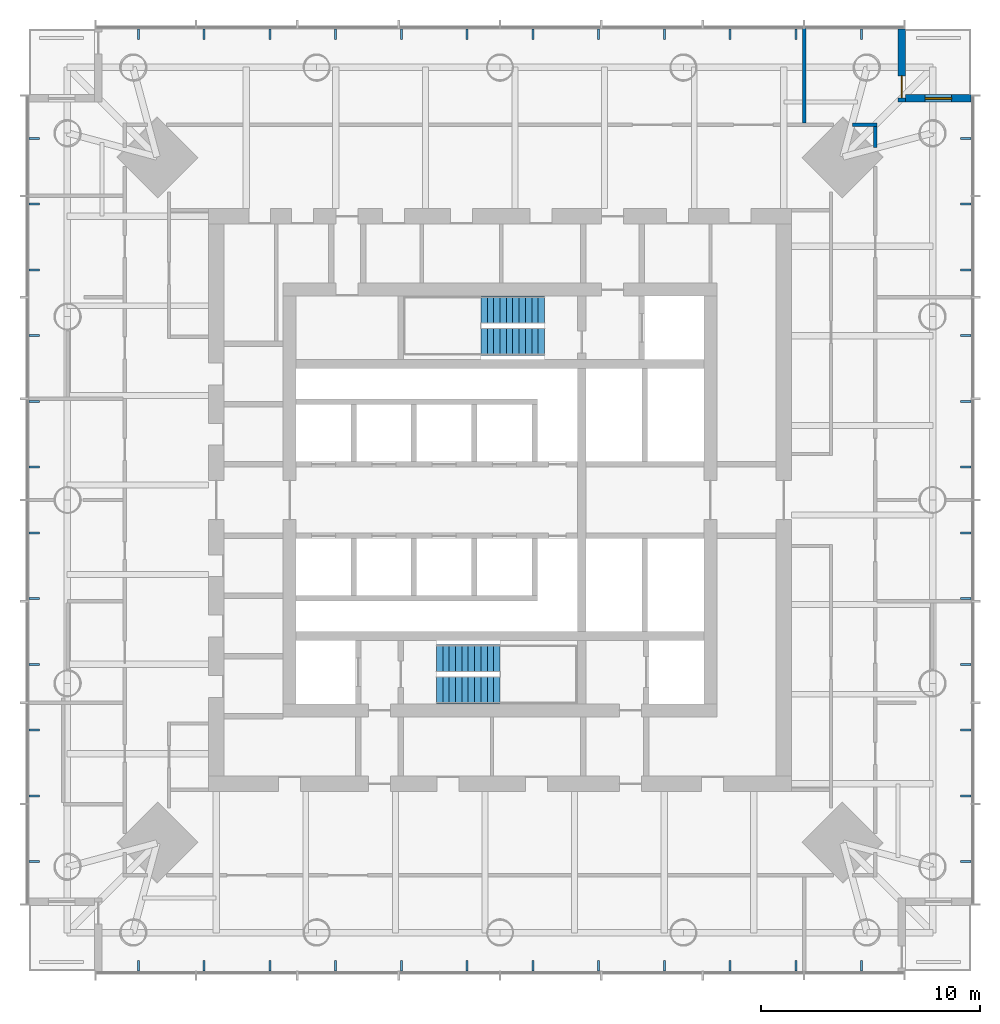
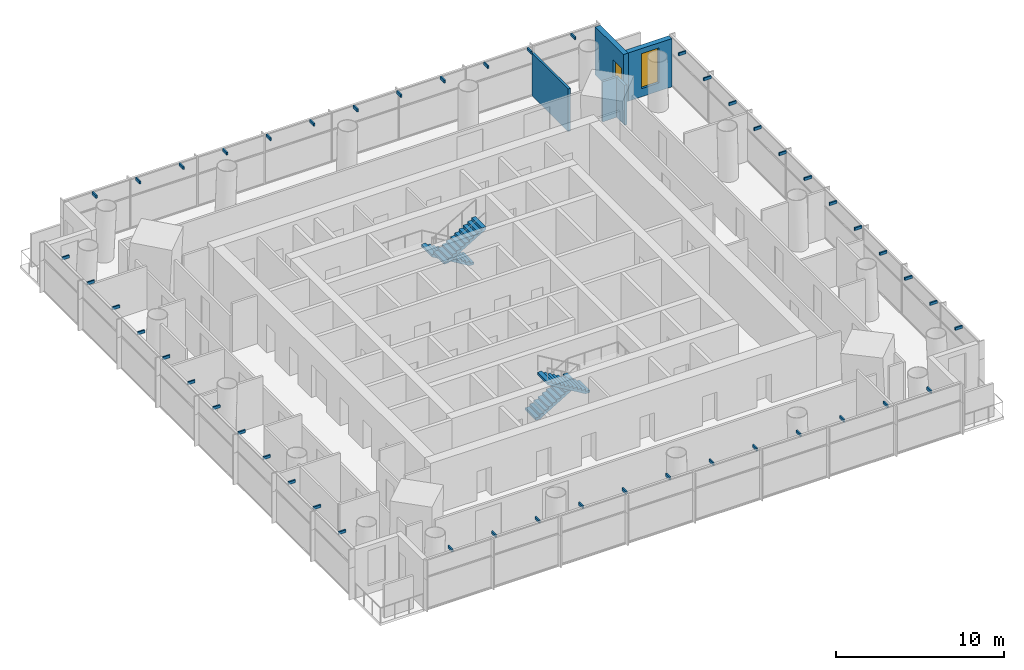
# One storey, part 10 of 11: 48 discrete accessories, 5 walls, 4 stair flights, 1 door, 1 window, 2 openings, 2 elements without a shape of their own.
"""IFC4 building model written with IfcOpenShell, lengths in metres."""

from ifc_helpers import new_model, si_unit, direction, frame, frame_2d, origin, origin_2d, place, context, subcontext, project, spatial, polyline, rectangle, outline, extrude, material, layer, layer_set, type_object, element, fill, aggregate, save


model = new_model("IFC4")

# Units and contexts
model_context = context("Model", 3, precision=1e-05, world=origin(), true_north=direction((0.0, 1.0)))
body_context = subcontext(model_context, "Body", "Model", "MODEL_VIEW")
ifc_project = project(units=[si_unit("LENGTHUNIT", "METRE"), si_unit("AREAUNIT", "SQUARE_METRE"), si_unit("VOLUMEUNIT", "CUBIC_METRE"), si_unit("PLANEANGLEUNIT", "RADIAN"), si_unit("MASSUNIT", "GRAM", prefix="KILO")], contexts=[model_context])

# Site, building, storey
site_placement = place(None, origin())
site = spatial("IfcSite", under=ifc_project, at=site_placement, CompositionType="ELEMENT")
building_placement = place(site_placement, origin())
building = spatial("IfcBuilding", under=site, at=building_placement, Name="Ostroluk Exchange", CompositionType="ELEMENT")
storey_placement = place(building_placement, frame((0.0, 0.0, 154.0)))
storey = spatial("IfcBuildingStorey", under=building, at=storey_placement, Name="L39", CompositionType="ELEMENT", Elevation=154.0)

# Wall, opening, door
ifc_material_1 = material(Name="Limestone", Category="masonry")
ifc_layer_1 = layer(ifc_material_1, 0.35009765625)
ifc_layer_set_1 = layer_set([ifc_layer_1], Name="Limestone facade wall 350")
wall_type_1 = type_object("IfcWallType", Name="Limestone facade wall 350", PredefinedType="SOLIDWALL", material=ifc_layer_set_1)
wall_1_placement = place(storey_placement, frame((63.324951171875, 67.5, 0.0), z_axis=(0.0, 0.0, 1.0), x_axis=(0.0, -1.0, 0.0)))
wall_1 = element("IfcWall", 1, at=wall_1_placement, inside=storey, type_object=wall_type_1, Name="Office tower NE corner wall L39 a", PredefinedType="SOLIDWALL", context=body_context, shape_type="SweptSolid", body=[
    extrude(rectangle(XDim=3.35009765625, YDim=0.35009765625, at=frame_2d((1.675048828125, 0.0))), origin(), (0.0, 0.0, 1.0), 3.52001953125),
])
opening_1_placement = place(wall_1_placement, frame((2.14990234375, 0.0, 0.0)))
opening_1 = element("IfcOpeningElement", 2, at=opening_1_placement, cuts=wall_1, Name="Opening D-B1", PredefinedType="OPENING", context=body_context, shape_type="SweptSolid", body=[
    extrude(rectangle(XDim=1.0, YDim=2.39990234375, at=frame_2d((0.5, 1.199951171875))), frame((0.0, 0.18505859375, 0.0), z_axis=(0.0, -1.0, 0.0), x_axis=(1.0, 0.0, 0.0)), (0.0, 0.0, 1.0), 0.3701171875),
])
ifc_material_2 = material(Name="Bronze framed glazed door", Category="aluminium")
door_type = type_object("IfcDoorType", Name="Balcony door 1000 x 2400", OperationType="SINGLE_SWING_LEFT", PredefinedType="DOOR", material=ifc_material_2)
door_placement = place(opening_1_placement, origin())
door = element("IfcDoor", 3, at=door_placement, inside=storey, type_object=door_type, Name="Office tower NE balcony door L39", OperationType="SINGLE_SWING_RIGHT", OverallHeight=2.39990234375, OverallWidth=1.0, PredefinedType="DOOR", context=body_context, shape_type="SweptSolid", body=[
    extrude(rectangle(XDim=1.0, YDim=2.39990234375, at=frame_2d((0.5, 1.199951171875))), frame((0.0, 0.02490234375, 0.0), z_axis=(0.0, -1.0, 0.0), x_axis=(1.0, 0.0, 0.0)), (0.0, 0.0, 1.0), 0.050048828125),
])
fill(opening_1, door)

# Wall, opening, window
wall_2_placement = place(storey_placement, frame((63.5, 64.324951171875, 0.0), z_axis=(0.0, 0.0, 1.0), x_axis=(1.0, 0.0, 0.0)))
wall_2 = element("IfcWall", 4, at=wall_2_placement, inside=storey, type_object=wall_type_1, Name="Office tower NE corner wall L39 b", PredefinedType="SOLIDWALL", context=body_context, shape_type="SweptSolid", body=[
    extrude(rectangle(XDim=3.0, YDim=0.35009765625, at=frame_2d((1.5, 0.0))), origin(), (0.0, 0.0, 1.0), 3.52001953125),
])
opening_2_placement = place(wall_2_placement, frame((0.89990234375, 0.0, 0.60009765625)))
opening_2 = element("IfcOpeningElement", 5, at=opening_2_placement, cuts=wall_2, Name="Opening WN-L1", PredefinedType="OPENING", context=body_context, shape_type="SweptSolid", body=[
    extrude(rectangle(XDim=1.199951171875, YDim=2.550048828125, at=frame_2d((0.60009765625, 1.27490234375))), frame((0.0, 0.18505859375, 0.0), z_axis=(0.0, -1.0, 0.0), x_axis=(1.0, 0.0, 0.0)), (0.0, 0.0, 1.0), 0.3701171875),
])
ifc_material_3 = material(Name="Laminated clear glass", Category="glass")
window_type = type_object("IfcWindowType", Name="Lancet window 1200 x 2550", PartitioningType="SINGLE_PANEL", PredefinedType="WINDOW", material=ifc_material_3)
window_placement = place(opening_2_placement, origin())
window = element("IfcWindow", 6, at=window_placement, inside=storey, type_object=window_type, Name="Office tower NE lancet window L39", OverallHeight=2.550048828125, OverallWidth=1.199951171875, PartitioningType="SINGLE_PANEL", PredefinedType="WINDOW", context=body_context, shape_type="SweptSolid", body=[
    extrude(rectangle(XDim=1.199951171875, YDim=2.550048828125, at=frame_2d((0.60009765625, 1.27490234375))), frame((0.0, 0.030029296875, 0.0), z_axis=(0.0, -1.0, 0.0), x_axis=(1.0, 0.0, 0.0)), (0.0, 0.0, 1.0), 0.06005859375),
])
fill(opening_2, window)

# Walls
ifc_material_4 = material(Name="Gypsum plasterboard partition", Category="gypsum")
ifc_layer_2 = layer(ifc_material_4, 0.14990234375)
ifc_layer_set_2 = layer_set([ifc_layer_2], Name="Plasterboard partition 150")
wall_type_2 = type_object("IfcWallType", Name="Plasterboard partition 150", PredefinedType="PARTITIONING", material=ifc_layer_set_2)
wall_3_placement = place(storey_placement, frame((62.125, 62.08837890625, 0.0), z_axis=(0.0, 0.0, 1.0), x_axis=(0.0, 1.0, 0.0)))
element("IfcWall", 7, at=wall_3_placement, inside=storey, type_object=wall_type_2, Name="Partition", PredefinedType="PARTITIONING", context=body_context, shape_type="SweptSolid", body=[
    extrude(rectangle(XDim=0.961669921875, YDim=0.14990234375, at=frame_2d((0.48095703125, 0.0))), origin(), (0.0, 0.0, 1.0), 2.919921875),
])
wall_4_placement = place(storey_placement, frame((62.199951171875, 63.125, 0.0), z_axis=(0.0, 0.0, 1.0), x_axis=(-1.0, 0.0, 0.0)))
element("IfcWall", 8, at=wall_4_placement, inside=storey, type_object=wall_type_2, Name="Partition", PredefinedType="PARTITIONING", context=body_context, shape_type="SweptSolid", body=[
    extrude(rectangle(XDim=1.111572265625, YDim=0.14990234375, at=frame_2d((0.5556640625, 0.0))), origin(), (0.0, 0.0, 1.0), 2.919921875),
])
wall_5_placement = place(storey_placement, frame((58.875, 63.199951171875, 0.0), z_axis=(0.0, 0.0, 1.0), x_axis=(0.0, 1.0, 0.0)))
element("IfcWall", 9, at=wall_5_placement, inside=storey, type_object=wall_type_2, Name="Partition", PredefinedType="PARTITIONING", context=body_context, shape_type="SweptSolid", body=[
    extrude(rectangle(XDim=4.340087890625, YDim=0.14990234375, at=frame_2d((2.169921875, 0.0))), origin(), (0.0, 0.0, 1.0), 3.1201171875),
])

# Stair, stair flights
ifc_material_5 = material(Name="Concrete C30/37", Category="concrete")
stair_type = type_object("IfcStairType", Name="Exit stair half turn 3800", PredefinedType="HALF_TURN_STAIR", material=ifc_material_5)
stair_1_placement = place(storey_placement, origin())
stair_1 = element("IfcStair", 10, at=stair_1_placement, inside=storey, type_object=stair_type, Name="Stair T1-S1 L39", PredefinedType="HALF_TURN_STAIR")
ifc_material_6 = material(Name="Concrete C30/37", Category="concrete")
stair_flight_type = type_object("IfcStairFlightType", Name="Stair flight 11 risers 172.7 x 290", PredefinedType="STRAIGHT", material=ifc_material_6)
stair_flight_1_placement = place(storey_placement, frame((42.10009765625, 38.77490234375, 0.0), z_axis=(0.0, 0.0, 1.0), x_axis=(1.0, 0.0, 0.0)))
stair_flight_1 = element("IfcStairFlight", 11, at=stair_flight_1_placement, type_object=stair_flight_type, Name="T1-S1 flight 1", NumberOfRisers=11, NumberOfTreads=10, PredefinedType="STRAIGHT", RiserHeight=0.172727273, TreadLength=0.29, context=body_context, shape_type="SweptSolid", body=[
    extrude(outline(polyline([(0.0, 0.0), (0.0, 0.172607421875), (0.2900390625, 0.172607421875), (0.2900390625, 0.345458984375), (0.580078125, 0.345458984375), (0.580078125, 0.51806640625), (0.8701171875, 0.51806640625), (0.8701171875, 0.69091796875), (1.159912109375, 0.69091796875), (1.159912109375, 0.863525390625), (1.449951171875, 0.863525390625), (1.449951171875, 1.036376953125), (1.739990234375, 1.036376953125), (1.739990234375, 1.208984375), (2.030029296875, 1.208984375), (2.030029296875, 1.3818359375), (2.320068359375, 1.3818359375), (2.320068359375, 1.554443359375), (2.610107421875, 1.554443359375), (2.610107421875, 1.727294921875), (2.89990234375, 1.727294921875), (2.89990234375, 1.89990234375), (2.89990234375, 1.552734375), (0.29296875, 0.0), (0.0, 0.0)])), frame((0.0, 0.625, 0.0), z_axis=(0.0, -1.0, 0.0), x_axis=(1.0, 0.0, 0.0)), (0.0, 0.0, 1.0), 1.25),
])
stair_flight_2_placement = place(storey_placement, frame((45.0, 37.324951171875, 1.89990234375), z_axis=(0.0, 0.0, 1.0), x_axis=(-1.0, 0.0, 0.0)))
stair_flight_2 = element("IfcStairFlight", 12, at=stair_flight_2_placement, type_object=stair_flight_type, Name="T1-S1 flight 2", NumberOfRisers=11, NumberOfTreads=10, PredefinedType="STRAIGHT", RiserHeight=0.172727273, TreadLength=0.29, context=body_context, shape_type="SweptSolid", body=[
    extrude(outline(polyline([(0.0, 0.0), (0.0, 0.172607421875), (0.2900390625, 0.172607421875), (0.2900390625, 0.345458984375), (0.580078125, 0.345458984375), (0.580078125, 0.51806640625), (0.8701171875, 0.51806640625), (0.8701171875, 0.69091796875), (1.159912109375, 0.69091796875), (1.159912109375, 0.863525390625), (1.449951171875, 0.863525390625), (1.449951171875, 1.036376953125), (1.739990234375, 1.036376953125), (1.739990234375, 1.208984375), (2.030029296875, 1.208984375), (2.030029296875, 1.3818359375), (2.320068359375, 1.3818359375), (2.320068359375, 1.554443359375), (2.610107421875, 1.554443359375), (2.610107421875, 1.727294921875), (2.89990234375, 1.727294921875), (2.89990234375, 1.89990234375), (2.89990234375, 1.552734375), (0.29296875, 0.0), (0.0, 0.0)])), frame((0.0, 0.625, 0.0), z_axis=(0.0, -1.0, 0.0), x_axis=(1.0, 0.0, 0.0)), (0.0, 0.0, 1.0), 1.25),
])
aggregate(stair_1, [stair_flight_1, stair_flight_2])

stair_2_placement = place(storey_placement, origin())
stair_2 = element("IfcStair", 13, at=stair_2_placement, inside=storey, type_object=stair_type, Name="Stair T1-S2 L39", PredefinedType="HALF_TURN_STAIR")
stair_flight_3_placement = place(storey_placement, frame((47.030029296875, 54.675048828125, 0.0), z_axis=(0.0, 0.0, 1.0), x_axis=(-1.0, 0.0, 0.0)))
stair_flight_3 = element("IfcStairFlight", 14, at=stair_flight_3_placement, type_object=stair_flight_type, Name="T1-S2 flight 1", NumberOfRisers=11, NumberOfTreads=10, PredefinedType="STRAIGHT", RiserHeight=0.172727273, TreadLength=0.29, context=body_context, shape_type="SweptSolid", body=[
    extrude(outline(polyline([(0.0, 0.0), (0.0, 0.172607421875), (0.2900390625, 0.172607421875), (0.2900390625, 0.345458984375), (0.580078125, 0.345458984375), (0.580078125, 0.51806640625), (0.8701171875, 0.51806640625), (0.8701171875, 0.69091796875), (1.159912109375, 0.69091796875), (1.159912109375, 0.863525390625), (1.449951171875, 0.863525390625), (1.449951171875, 1.036376953125), (1.739990234375, 1.036376953125), (1.739990234375, 1.208984375), (2.030029296875, 1.208984375), (2.030029296875, 1.3818359375), (2.320068359375, 1.3818359375), (2.320068359375, 1.554443359375), (2.610107421875, 1.554443359375), (2.610107421875, 1.727294921875), (2.89990234375, 1.727294921875), (2.89990234375, 1.89990234375), (2.89990234375, 1.552734375), (0.29296875, 0.0), (0.0, 0.0)])), frame((0.0, 0.625, 0.0), z_axis=(0.0, -1.0, 0.0), x_axis=(1.0, 0.0, 0.0)), (0.0, 0.0, 1.0), 1.25),
])
stair_flight_4_placement = place(storey_placement, frame((44.1298828125, 53.22509765625, 1.89990234375), z_axis=(0.0, 0.0, 1.0), x_axis=(1.0, 0.0, 0.0)))
stair_flight_4 = element("IfcStairFlight", 15, at=stair_flight_4_placement, type_object=stair_flight_type, Name="T1-S2 flight 2", NumberOfRisers=11, NumberOfTreads=10, PredefinedType="STRAIGHT", RiserHeight=0.172727273, TreadLength=0.29, context=body_context, shape_type="SweptSolid", body=[
    extrude(outline(polyline([(0.0, 0.0), (0.0, 0.172607421875), (0.2900390625, 0.172607421875), (0.2900390625, 0.345458984375), (0.580078125, 0.345458984375), (0.580078125, 0.51806640625), (0.8701171875, 0.51806640625), (0.8701171875, 0.69091796875), (1.159912109375, 0.69091796875), (1.159912109375, 0.863525390625), (1.449951171875, 0.863525390625), (1.449951171875, 1.036376953125), (1.739990234375, 1.036376953125), (1.739990234375, 1.208984375), (2.030029296875, 1.208984375), (2.030029296875, 1.3818359375), (2.320068359375, 1.3818359375), (2.320068359375, 1.554443359375), (2.610107421875, 1.554443359375), (2.610107421875, 1.727294921875), (2.89990234375, 1.727294921875), (2.89990234375, 1.89990234375), (2.89990234375, 1.552734375), (0.29296875, 0.0), (0.0, 0.0)])), frame((0.0, 0.625, 0.0), z_axis=(0.0, -1.0, 0.0), x_axis=(1.0, 0.0, 0.0)), (0.0, 0.0, 1.0), 1.25),
])
aggregate(stair_2, [stair_flight_3, stair_flight_4])

# Discrete accessories
ifc_material_7 = material(Name="Steel S355", Category="steel")
discrete_accessory_type = type_object("IfcDiscreteAccessoryType", Name="Maintenance roof bracket", PredefinedType="BRACKET", material=ifc_material_7)
for number, where, z_axis, x_axis, name in (
    (16, (28.5, 24.75, 3.4501953125), (0.0, 0.0, 1.0), (1.0, 0.0, 0.0), "Maintenance roof bracket L40 south 1"),
    (17, (31.5, 24.75, 3.4501953125), (0.0, 0.0, 1.0), (1.0, 0.0, 0.0), "Maintenance roof bracket L40 south 2"),
    (18, (34.5, 24.75, 3.4501953125), (0.0, 0.0, 1.0), (1.0, 0.0, 0.0), "Maintenance roof bracket L40 south 3"),
    (19, (37.5, 24.75, 3.4501953125), (0.0, 0.0, 1.0), (1.0, 0.0, 0.0), "Maintenance roof bracket L40 south 4"),
    (20, (40.5, 24.75, 3.4501953125), (0.0, 0.0, 1.0), (1.0, 0.0, 0.0), "Maintenance roof bracket L40 south 5"),
    (21, (43.5, 24.75, 3.4501953125), (0.0, 0.0, 1.0), (1.0, 0.0, 0.0), "Maintenance roof bracket L40 south 6"),
    (22, (46.5, 24.75, 3.4501953125), (0.0, 0.0, 1.0), (1.0, 0.0, 0.0), "Maintenance roof bracket L40 south 7"),
    (23, (49.5, 24.75, 3.4501953125), (0.0, 0.0, 1.0), (1.0, 0.0, 0.0), "Maintenance roof bracket L40 south 8"),
    (24, (52.5, 24.75, 3.4501953125), (0.0, 0.0, 1.0), (1.0, 0.0, 0.0), "Maintenance roof bracket L40 south 9"),
    (25, (55.5, 24.75, 3.4501953125), (0.0, 0.0, 1.0), (1.0, 0.0, 0.0), "Maintenance roof bracket L40 south 10"),
    (26, (58.5, 24.75, 3.4501953125), (0.0, 0.0, 1.0), (1.0, 0.0, 0.0), "Maintenance roof bracket L40 south 11"),
    (27, (61.5, 24.75, 3.4501953125), (0.0, 0.0, 1.0), (1.0, 0.0, 0.0), "Maintenance roof bracket L40 south 12"),
):
    element("IfcDiscreteAccessory", number, at=place(storey_placement, frame(where, z_axis=z_axis, x_axis=x_axis)), inside=storey, type_object=discrete_accessory_type, Name=name, PredefinedType="BRACKET", context=body_context, shape_type="SweptSolid", body=[
        extrude(rectangle(XDim=0.10009765625, YDim=0.5, at=origin_2d()), origin(), (0.0, 0.0, 1.0), 0.199951171875),
    ])
for number, where, z_axis, x_axis, name in (
    (28, (66.25, 29.5, 3.4501953125), (0.0, 0.0, 1.0), (1.0, 0.0, 0.0), "Maintenance roof bracket L40 east 1"),
    (29, (66.25, 32.5, 3.4501953125), (0.0, 0.0, 1.0), (1.0, 0.0, 0.0), "Maintenance roof bracket L40 east 2"),
    (30, (66.25, 35.5, 3.4501953125), (0.0, 0.0, 1.0), (1.0, 0.0, 0.0), "Maintenance roof bracket L40 east 3"),
    (31, (66.25, 38.5, 3.4501953125), (0.0, 0.0, 1.0), (1.0, 0.0, 0.0), "Maintenance roof bracket L40 east 4"),
    (32, (66.25, 41.5, 3.4501953125), (0.0, 0.0, 1.0), (1.0, 0.0, 0.0), "Maintenance roof bracket L40 east 5"),
    (33, (66.25, 44.5, 3.4501953125), (0.0, 0.0, 1.0), (1.0, 0.0, 0.0), "Maintenance roof bracket L40 east 6"),
    (34, (66.25, 47.5, 3.4501953125), (0.0, 0.0, 1.0), (1.0, 0.0, 0.0), "Maintenance roof bracket L40 east 7"),
    (35, (66.25, 50.5, 3.4501953125), (0.0, 0.0, 1.0), (1.0, 0.0, 0.0), "Maintenance roof bracket L40 east 8"),
    (36, (66.25, 53.5, 3.4501953125), (0.0, 0.0, 1.0), (1.0, 0.0, 0.0), "Maintenance roof bracket L40 east 9"),
    (37, (66.25, 56.5, 3.4501953125), (0.0, 0.0, 1.0), (1.0, 0.0, 0.0), "Maintenance roof bracket L40 east 10"),
    (38, (66.25, 59.5, 3.4501953125), (0.0, 0.0, 1.0), (1.0, 0.0, 0.0), "Maintenance roof bracket L40 east 11"),
    (39, (66.25, 62.5, 3.4501953125), (0.0, 0.0, 1.0), (1.0, 0.0, 0.0), "Maintenance roof bracket L40 east 12"),
):
    element("IfcDiscreteAccessory", number, at=place(storey_placement, frame(where, z_axis=z_axis, x_axis=x_axis)), inside=storey, type_object=discrete_accessory_type, Name=name, PredefinedType="BRACKET", context=body_context, shape_type="SweptSolid", body=[
        extrude(rectangle(XDim=0.5, YDim=0.10009765625, at=origin_2d()), origin(), (0.0, 0.0, 1.0), 0.199951171875),
    ])
for number, where, z_axis, x_axis, name in (
    (40, (28.5, 67.25, 3.4501953125), (0.0, 0.0, 1.0), (1.0, 0.0, 0.0), "Maintenance roof bracket L40 north 1"),
    (41, (31.5, 67.25, 3.4501953125), (0.0, 0.0, 1.0), (1.0, 0.0, 0.0), "Maintenance roof bracket L40 north 2"),
    (42, (34.5, 67.25, 3.4501953125), (0.0, 0.0, 1.0), (1.0, 0.0, 0.0), "Maintenance roof bracket L40 north 3"),
    (43, (37.5, 67.25, 3.4501953125), (0.0, 0.0, 1.0), (1.0, 0.0, 0.0), "Maintenance roof bracket L40 north 4"),
    (44, (40.5, 67.25, 3.4501953125), (0.0, 0.0, 1.0), (1.0, 0.0, 0.0), "Maintenance roof bracket L40 north 5"),
    (45, (43.5, 67.25, 3.4501953125), (0.0, 0.0, 1.0), (1.0, 0.0, 0.0), "Maintenance roof bracket L40 north 6"),
    (46, (46.5, 67.25, 3.4501953125), (0.0, 0.0, 1.0), (1.0, 0.0, 0.0), "Maintenance roof bracket L40 north 7"),
    (47, (49.5, 67.25, 3.4501953125), (0.0, 0.0, 1.0), (1.0, 0.0, 0.0), "Maintenance roof bracket L40 north 8"),
    (48, (52.5, 67.25, 3.4501953125), (0.0, 0.0, 1.0), (1.0, 0.0, 0.0), "Maintenance roof bracket L40 north 9"),
    (49, (55.5, 67.25, 3.4501953125), (0.0, 0.0, 1.0), (1.0, 0.0, 0.0), "Maintenance roof bracket L40 north 10"),
    (50, (58.5, 67.25, 3.4501953125), (0.0, 0.0, 1.0), (1.0, 0.0, 0.0), "Maintenance roof bracket L40 north 11"),
    (51, (61.5, 67.25, 3.4501953125), (0.0, 0.0, 1.0), (1.0, 0.0, 0.0), "Maintenance roof bracket L40 north 12"),
):
    element("IfcDiscreteAccessory", number, at=place(storey_placement, frame(where, z_axis=z_axis, x_axis=x_axis)), inside=storey, type_object=discrete_accessory_type, Name=name, PredefinedType="BRACKET", context=body_context, shape_type="SweptSolid", body=[
        extrude(rectangle(XDim=0.10009765625, YDim=0.5, at=origin_2d()), origin(), (0.0, 0.0, 1.0), 0.199951171875),
    ])
for number, where, z_axis, x_axis, name in (
    (52, (23.75, 29.5, 3.4501953125), (0.0, 0.0, 1.0), (1.0, 0.0, 0.0), "Maintenance roof bracket L40 west 1"),
    (53, (23.75, 32.5, 3.4501953125), (0.0, 0.0, 1.0), (1.0, 0.0, 0.0), "Maintenance roof bracket L40 west 2"),
    (54, (23.75, 35.5, 3.4501953125), (0.0, 0.0, 1.0), (1.0, 0.0, 0.0), "Maintenance roof bracket L40 west 3"),
    (55, (23.75, 38.5, 3.4501953125), (0.0, 0.0, 1.0), (1.0, 0.0, 0.0), "Maintenance roof bracket L40 west 4"),
    (56, (23.75, 41.5, 3.4501953125), (0.0, 0.0, 1.0), (1.0, 0.0, 0.0), "Maintenance roof bracket L40 west 5"),
    (57, (23.75, 44.5, 3.4501953125), (0.0, 0.0, 1.0), (1.0, 0.0, 0.0), "Maintenance roof bracket L40 west 6"),
    (58, (23.75, 47.5, 3.4501953125), (0.0, 0.0, 1.0), (1.0, 0.0, 0.0), "Maintenance roof bracket L40 west 7"),
    (59, (23.75, 50.5, 3.4501953125), (0.0, 0.0, 1.0), (1.0, 0.0, 0.0), "Maintenance roof bracket L40 west 8"),
    (60, (23.75, 53.5, 3.4501953125), (0.0, 0.0, 1.0), (1.0, 0.0, 0.0), "Maintenance roof bracket L40 west 9"),
    (61, (23.75, 56.5, 3.4501953125), (0.0, 0.0, 1.0), (1.0, 0.0, 0.0), "Maintenance roof bracket L40 west 10"),
    (62, (23.75, 59.5, 3.4501953125), (0.0, 0.0, 1.0), (1.0, 0.0, 0.0), "Maintenance roof bracket L40 west 11"),
    (63, (23.75, 62.5, 3.4501953125), (0.0, 0.0, 1.0), (1.0, 0.0, 0.0), "Maintenance roof bracket L40 west 12"),
):
    element("IfcDiscreteAccessory", number, at=place(storey_placement, frame(where, z_axis=z_axis, x_axis=x_axis)), inside=storey, type_object=discrete_accessory_type, Name=name, PredefinedType="BRACKET", context=body_context, shape_type="SweptSolid", body=[
        extrude(rectangle(XDim=0.5, YDim=0.10009765625, at=origin_2d()), origin(), (0.0, 0.0, 1.0), 0.199951171875),
    ])

save(model, "model.ifc")
